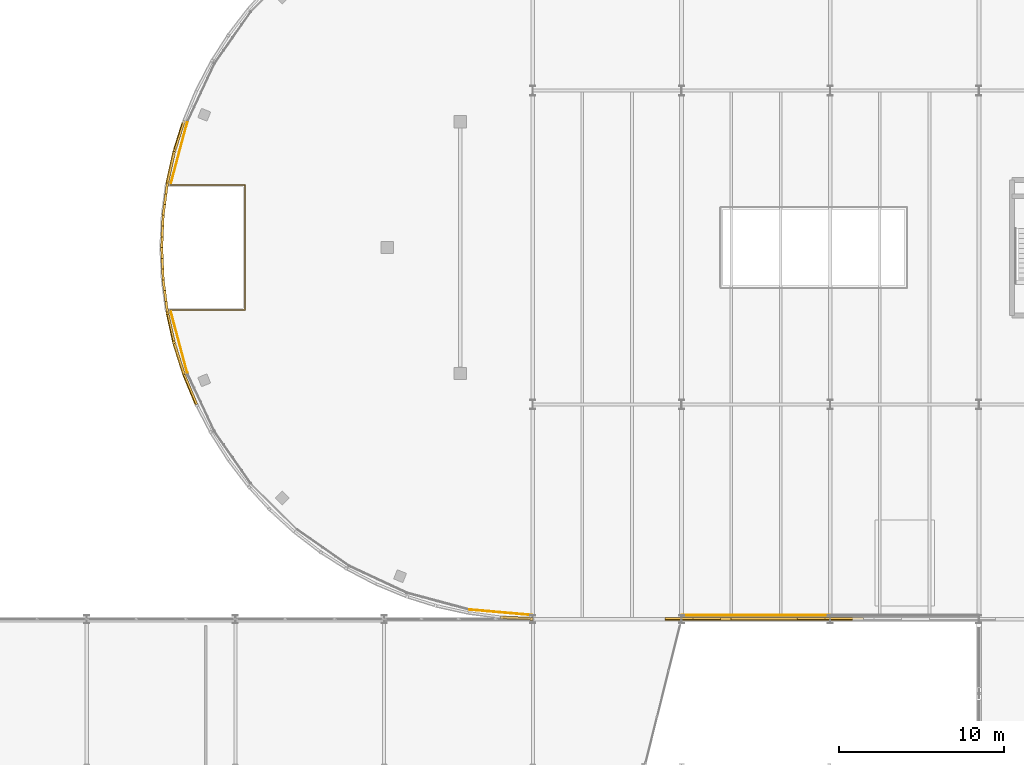
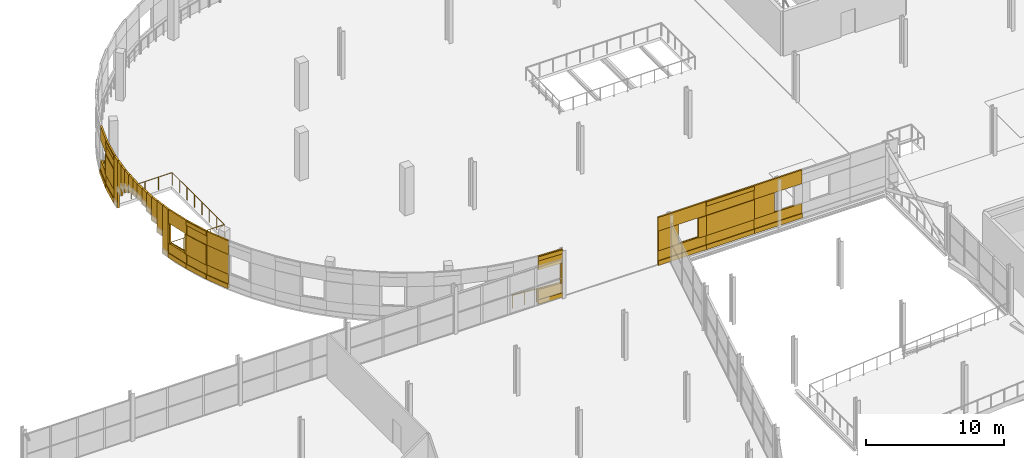
# One storey, part 123 of 135: 54 coverings, 5 railings.
"""IFC4 building model written with IfcOpenShell, lengths in metres."""

from ifc_helpers import new_model, si_unit, direction, frame, origin, origin_2d, place, context, subcontext, project, spatial, rectangle, circle, extrude, material, layer, layer_set, type_object, element, save


model = new_model("IFC4")

# Units and contexts
model_context = context("Model", 3, precision=1e-05, world=origin(), true_north=direction((0.0, 1.0)))
body_context = subcontext(model_context, "Body", "Model", "MODEL_VIEW")
ifc_project = project(units=[si_unit("LENGTHUNIT", "METRE"), si_unit("AREAUNIT", "SQUARE_METRE"), si_unit("VOLUMEUNIT", "CUBIC_METRE"), si_unit("PLANEANGLEUNIT", "RADIAN"), si_unit("MASSUNIT", "GRAM", prefix="KILO")], contexts=[model_context])

# Site, building, storey
site_placement = place(None, origin())
site = spatial("IfcSite", under=ifc_project, at=site_placement, CompositionType="ELEMENT")
building_placement = place(site_placement, origin())
building = spatial("IfcBuilding", under=site, at=building_placement, Name="Deido Ridge Mobility Hub", CompositionType="ELEMENT")
storey_placement = place(building_placement, frame((0.0, 0.0, 4.199951171875)))
storey = spatial("IfcBuildingStorey", under=building, at=storey_placement, Name="L01", CompositionType="ELEMENT", Elevation=4.199951171875)

# Coverings
ifc_material_1 = material(Name="Fired clay brick masonry", Category="masonry")
ifc_layer = layer(ifc_material_1, 0.114990234375, Name="Fired clay brick masonry")
ifc_layer_set = layer_set([ifc_layer], Name="Fired clay brick masonry")
covering_type = type_object("IfcCoveringType", Name="COV-BRK-SCREEN-115", PredefinedType="CLADDING", material=ifc_layer_set)
covering_1_placement = place(storey_placement, frame((23.61181640625, 110.24365234375, 0.0), z_axis=(0.0, 0.0, 1.0), x_axis=(-0.300672508319, -0.95372744678, 0.0)))
element("IfcCovering", 1, at=covering_1_placement, inside=storey, type_object=covering_type, Name="Open brickwork spandrel course BKS1 (L01)", PredefinedType="CLADDING", context=body_context, shape_type="SweptSolid", body=[
    extrude(rectangle(XDim=1.9619140625, YDim=0.125, at=origin_2d()), origin(), (0.0, 0.0, 1.0), 1.25),
])
covering_2_placement = place(storey_placement, frame((23.585693359375, 110.251953125, 0.0), z_axis=(0.0, 0.0, 1.0), x_axis=(-0.300672508319, -0.95372744678, 0.0)))
element("IfcCovering", 2, at=covering_2_placement, inside=storey, type_object=covering_type, Name="Raised brick relief belt BKS1 (L01)", PredefinedType="CLADDING", context=body_context, shape_type="SweptSolid", body=[
    extrude(rectangle(XDim=1.9619140625, YDim=0.179931640625, at=origin_2d()), origin(), (0.0, 0.0, 1.0), 0.39990234375),
])
covering_3_placement = place(storey_placement, frame((23.61181640625, 110.24365234375, 3.0), z_axis=(0.0, 0.0, 1.0), x_axis=(-0.300672508319, -0.95372744678, 0.0)))
element("IfcCovering", 3, at=covering_3_placement, inside=storey, type_object=covering_type, Name="Open brickwork lintel course BKS1 (L01)", PredefinedType="CLADDING", context=body_context, shape_type="SweptSolid", body=[
    extrude(rectangle(XDim=1.9619140625, YDim=0.125, at=origin_2d()), origin(), (0.0, 0.0, 1.0), 1.199951171875),
])
covering_4_placement = place(storey_placement, frame((23.314697265625, 109.392578125, 1.25), z_axis=(0.0, 0.0, 1.0), x_axis=(-0.300672508319, -0.95372744678, 0.0)))
element("IfcCovering", 4, at=covering_4_placement, inside=storey, type_object=covering_type, Name="Curved brick jamb nib BKS1 (L01)", PredefinedType="CLADDING", context=body_context, shape_type="SweptSolid", body=[
    extrude(rectangle(XDim=0.152099609375, YDim=0.179931640625, at=origin_2d()), origin(), (0.0, 0.0, 1.0), 1.75),
])
covering_5_placement = place(storey_placement, frame((23.10546875, 108.35400390625, 0.0), z_axis=(0.0, 0.0, 1.0), x_axis=(-0.216456653485, -0.976292229387, 0.0)))
element("IfcCovering", 5, at=covering_5_placement, inside=storey, type_object=covering_type, Name="Open brickwork spandrel course BKS1 (L01)", PredefinedType="CLADDING", context=body_context, shape_type="SweptSolid", body=[
    extrude(rectangle(XDim=1.9619140625, YDim=0.125, at=origin_2d()), origin(), (0.0, 0.0, 1.0), 1.25),
])
covering_6_placement = place(storey_placement, frame((23.07861328125, 108.35986328125, 0.0), z_axis=(0.0, 0.0, 1.0), x_axis=(-0.216456653485, -0.976292229387, 0.0)))
element("IfcCovering", 6, at=covering_6_placement, inside=storey, type_object=covering_type, Name="Raised brick relief belt BKS1 (L01)", PredefinedType="CLADDING", context=body_context, shape_type="SweptSolid", body=[
    extrude(rectangle(XDim=1.9619140625, YDim=0.179931640625, at=origin_2d()), origin(), (0.0, 0.0, 1.0), 0.39990234375),
])
covering_7_placement = place(storey_placement, frame((23.10546875, 108.35400390625, 3.0), z_axis=(0.0, 0.0, 1.0), x_axis=(-0.216456653485, -0.976292229387, 0.0)))
element("IfcCovering", 7, at=covering_7_placement, inside=storey, type_object=covering_type, Name="Open brickwork lintel course BKS1 (L01)", PredefinedType="CLADDING", context=body_context, shape_type="SweptSolid", body=[
    extrude(rectangle(XDim=1.9619140625, YDim=0.125, at=origin_2d()), origin(), (0.0, 0.0, 1.0), 1.199951171875),
])
covering_8_placement = place(storey_placement, frame((23.07861328125, 108.35986328125, 3.83984375), z_axis=(0.0, 0.0, 1.0), x_axis=(-0.216456653485, -0.976292229387, 0.0)))
element("IfcCovering", 8, at=covering_8_placement, inside=storey, type_object=covering_type, Name="Raised brick relief cornice BKS1 (L01)", PredefinedType="CLADDING", context=body_context, shape_type="SweptSolid", body=[
    extrude(rectangle(XDim=1.9619140625, YDim=0.179931640625, at=origin_2d()), origin(), (0.0, 0.0, 1.0), 0.360107421875),
])
covering_9_placement = place(storey_placement, frame((23.07861328125, 108.35986328125, 1.25), z_axis=(0.0, 0.0, 1.0), x_axis=(-0.216456653485, -0.976292229387, 0.0)))
element("IfcCovering", 9, at=covering_9_placement, inside=storey, type_object=covering_type, Name="Curved raised brickwork pier BKS1 (L01)", PredefinedType="CLADDING", context=body_context, shape_type="SweptSolid", body=[
    extrude(rectangle(XDim=1.9619140625, YDim=0.179931640625, at=origin_2d()), origin(), (0.0, 0.0, 1.0), 1.75),
])
covering_10_placement = place(storey_placement, frame((22.8408203125, 107.07421875, 0.0), z_axis=(0.0, 0.0, 1.0), x_axis=(-0.130543496177, -0.991442583111, 0.0)))
element("IfcCovering", 10, at=covering_10_placement, inside=storey, type_object=covering_type, Name="Stepped brick portal arch spandrel BKS1 (L01)", PredefinedType="CLADDING", context=body_context, shape_type="SweptSolid", body=[
    extrude(rectangle(XDim=0.657958984375, YDim=0.14501953125, at=origin_2d()), origin(), (0.0, 0.0, 1.0), 4.199951171875),
])
covering_11_placement = place(storey_placement, frame((22.755615234375, 106.428466796875, 1.504150390625), z_axis=(0.0, 0.0, 1.0), x_axis=(-0.130543496177, -0.991442583111, 0.0)))
element("IfcCovering", 11, at=covering_11_placement, inside=storey, type_object=covering_type, Name="Stepped brick portal arch spandrel BKS1 (L01)", PredefinedType="CLADDING", context=body_context, shape_type="SweptSolid", body=[
    extrude(rectangle(XDim=0.657958984375, YDim=0.14501953125, at=origin_2d()), origin(), (0.0, 0.0, 1.0), 2.69580078125),
])
covering_12_placement = place(storey_placement, frame((22.670654296875, 105.78271484375, 2.18994140625), z_axis=(0.0, 0.0, 1.0), x_axis=(-0.130543496177, -0.991442583111, 0.0)))
element("IfcCovering", 12, at=covering_12_placement, inside=storey, type_object=covering_type, Name="Stepped brick portal arch spandrel BKS1 (L01)", PredefinedType="CLADDING", context=body_context, shape_type="SweptSolid", body=[
    extrude(rectangle(XDim=0.657958984375, YDim=0.14501953125, at=origin_2d()), origin(), (0.0, 0.0, 1.0), 2.010009765625),
])
covering_13_placement = place(storey_placement, frame((22.613525390625, 105.12939453125, 2.611328125), z_axis=(0.0, 0.0, 1.0), x_axis=(-0.043601950678, -0.999048982732, 0.0)))
element("IfcCovering", 13, at=covering_13_placement, inside=storey, type_object=covering_type, Name="Stepped brick portal arch spandrel BKS1 (L01)", PredefinedType="CLADDING", context=body_context, shape_type="SweptSolid", body=[
    extrude(rectangle(XDim=0.657958984375, YDim=0.14501953125, at=origin_2d()), origin(), (0.0, 0.0, 1.0), 1.588623046875),
])
covering_14_placement = place(storey_placement, frame((22.585205078125, 104.478759765625, 2.864990234375), z_axis=(0.0, 0.0, 1.0), x_axis=(-0.043601950678, -0.999048982732, 0.0)))
element("IfcCovering", 14, at=covering_14_placement, inside=storey, type_object=covering_type, Name="Stepped brick portal arch spandrel BKS1 (L01)", PredefinedType="CLADDING", context=body_context, shape_type="SweptSolid", body=[
    extrude(rectangle(XDim=0.657958984375, YDim=0.14501953125, at=origin_2d()), origin(), (0.0, 0.0, 1.0), 1.3349609375),
])
for number, where, z_axis, x_axis, name in (
    (15, (22.556884765625, 103.827880859375, 2.9853515625), (0.0, 0.0, 1.0), (-0.043601950678, -0.999048982732, 0.0), "Stepped brick portal arch spandrel BKS1 (L01)"),
    (16, (22.556884765625, 103.172119140625, 2.9853515625), (0.0, 0.0, 1.0), (0.043601950678, -0.999048982732, 0.0), "Stepped brick portal arch spandrel BKS1 (L01)"),
):
    element("IfcCovering", number, at=place(storey_placement, frame(where, z_axis=z_axis, x_axis=x_axis)), inside=storey, type_object=covering_type, Name=name, PredefinedType="CLADDING", context=body_context, shape_type="SweptSolid", body=[
        extrude(rectangle(XDim=0.657958984375, YDim=0.14501953125, at=origin_2d()), origin(), (0.0, 0.0, 1.0), 1.214599609375),
    ])
covering_15_placement = place(storey_placement, frame((22.585205078125, 102.521240234375, 2.864990234375), z_axis=(0.0, 0.0, 1.0), x_axis=(0.043601950678, -0.999048982732, 0.0)))
element("IfcCovering", 17, at=covering_15_placement, inside=storey, type_object=covering_type, Name="Stepped brick portal arch spandrel BKS1 (L01)", PredefinedType="CLADDING", context=body_context, shape_type="SweptSolid", body=[
    extrude(rectangle(XDim=0.657958984375, YDim=0.14501953125, at=origin_2d()), origin(), (0.0, 0.0, 1.0), 1.3349609375),
])
covering_16_placement = place(storey_placement, frame((22.613525390625, 101.87060546875, 2.611328125), z_axis=(0.0, 0.0, 1.0), x_axis=(0.043601950678, -0.999048982732, 0.0)))
element("IfcCovering", 18, at=covering_16_placement, inside=storey, type_object=covering_type, Name="Stepped brick portal arch spandrel BKS1 (L01)", PredefinedType="CLADDING", context=body_context, shape_type="SweptSolid", body=[
    extrude(rectangle(XDim=0.657958984375, YDim=0.14501953125, at=origin_2d()), origin(), (0.0, 0.0, 1.0), 1.588623046875),
])
covering_17_placement = place(storey_placement, frame((22.670654296875, 101.21728515625, 2.18994140625), z_axis=(0.0, 0.0, 1.0), x_axis=(0.130543496177, -0.991442583111, 0.0)))
element("IfcCovering", 19, at=covering_17_placement, inside=storey, type_object=covering_type, Name="Stepped brick portal arch spandrel BKS1 (L01)", PredefinedType="CLADDING", context=body_context, shape_type="SweptSolid", body=[
    extrude(rectangle(XDim=0.657958984375, YDim=0.14501953125, at=origin_2d()), origin(), (0.0, 0.0, 1.0), 2.010009765625),
])
covering_18_placement = place(storey_placement, frame((22.755615234375, 100.571533203125, 1.504150390625), z_axis=(0.0, 0.0, 1.0), x_axis=(0.130543496177, -0.991442583111, 0.0)))
element("IfcCovering", 20, at=covering_18_placement, inside=storey, type_object=covering_type, Name="Stepped brick portal arch spandrel BKS1 (L01)", PredefinedType="CLADDING", context=body_context, shape_type="SweptSolid", body=[
    extrude(rectangle(XDim=0.657958984375, YDim=0.14501953125, at=origin_2d()), origin(), (0.0, 0.0, 1.0), 2.69580078125),
])
covering_19_placement = place(storey_placement, frame((22.8408203125, 99.92578125, 0.0), z_axis=(0.0, 0.0, 1.0), x_axis=(0.130543496177, -0.991442583111, 0.0)))
element("IfcCovering", 21, at=covering_19_placement, inside=storey, type_object=covering_type, Name="Stepped brick portal arch spandrel BKS1 (L01)", PredefinedType="CLADDING", context=body_context, shape_type="SweptSolid", body=[
    extrude(rectangle(XDim=0.657958984375, YDim=0.14501953125, at=origin_2d()), origin(), (0.0, 0.0, 1.0), 4.199951171875),
])
covering_20_placement = place(storey_placement, frame((23.10546875, 98.64599609375, 0.0), z_axis=(0.0, 0.0, 1.0), x_axis=(0.216456653485, -0.976292229387, 0.0)))
element("IfcCovering", 22, at=covering_20_placement, inside=storey, type_object=covering_type, Name="Open brickwork spandrel course BKS1 (L01)", PredefinedType="CLADDING", context=body_context, shape_type="SweptSolid", body=[
    extrude(rectangle(XDim=1.9619140625, YDim=0.125, at=origin_2d()), origin(), (0.0, 0.0, 1.0), 1.25),
])
covering_21_placement = place(storey_placement, frame((23.07861328125, 98.64013671875, 0.0), z_axis=(0.0, 0.0, 1.0), x_axis=(0.216456653485, -0.976292229387, 0.0)))
element("IfcCovering", 23, at=covering_21_placement, inside=storey, type_object=covering_type, Name="Raised brick relief belt BKS1 (L01)", PredefinedType="CLADDING", context=body_context, shape_type="SweptSolid", body=[
    extrude(rectangle(XDim=1.9619140625, YDim=0.179931640625, at=origin_2d()), origin(), (0.0, 0.0, 1.0), 0.39990234375),
])
covering_22_placement = place(storey_placement, frame((23.10546875, 98.64599609375, 3.0), z_axis=(0.0, 0.0, 1.0), x_axis=(0.216456653485, -0.976292229387, 0.0)))
element("IfcCovering", 24, at=covering_22_placement, inside=storey, type_object=covering_type, Name="Open brickwork lintel course BKS1 (L01)", PredefinedType="CLADDING", context=body_context, shape_type="SweptSolid", body=[
    extrude(rectangle(XDim=1.9619140625, YDim=0.125, at=origin_2d()), origin(), (0.0, 0.0, 1.0), 1.199951171875),
])
for number, where, z_axis, x_axis, name in (
    (25, (22.883544921875, 99.519775390625, 1.25), (0.0, 0.0, 1.0), (0.216456653485, -0.976292229387, 0.0), "Curved brick jamb nib BKS1 (L01)"),
    (26, (23.273681640625, 97.760498046875, 1.25), (0.0, 0.0, 1.0), (0.216456653485, -0.976292229387, 0.0), "Curved brick jamb nib BKS1 (L01)"),
):
    element("IfcCovering", number, at=place(storey_placement, frame(where, z_axis=z_axis, x_axis=x_axis)), inside=storey, type_object=covering_type, Name=name, PredefinedType="CLADDING", context=body_context, shape_type="SweptSolid", body=[
        extrude(rectangle(XDim=0.152099609375, YDim=0.179931640625, at=origin_2d()), origin(), (0.0, 0.0, 1.0), 1.75),
    ])
covering_23_placement = place(storey_placement, frame((23.61181640625, 96.75634765625, 0.0), z_axis=(0.0, 0.0, 1.0), x_axis=(0.300672508319, -0.95372744678, 0.0)))
element("IfcCovering", 27, at=covering_23_placement, inside=storey, type_object=covering_type, Name="Open brickwork spandrel course BKS1 (L01)", PredefinedType="CLADDING", context=body_context, shape_type="SweptSolid", body=[
    extrude(rectangle(XDim=1.9619140625, YDim=0.125, at=origin_2d()), origin(), (0.0, 0.0, 1.0), 1.25),
])
covering_24_placement = place(storey_placement, frame((23.585693359375, 96.748046875, 0.0), z_axis=(0.0, 0.0, 1.0), x_axis=(0.300672508319, -0.95372744678, 0.0)))
element("IfcCovering", 28, at=covering_24_placement, inside=storey, type_object=covering_type, Name="Raised brick relief belt BKS1 (L01)", PredefinedType="CLADDING", context=body_context, shape_type="SweptSolid", body=[
    extrude(rectangle(XDim=1.9619140625, YDim=0.179931640625, at=origin_2d()), origin(), (0.0, 0.0, 1.0), 0.39990234375),
])
covering_25_placement = place(storey_placement, frame((23.61181640625, 96.75634765625, 3.0), z_axis=(0.0, 0.0, 1.0), x_axis=(0.300672508319, -0.95372744678, 0.0)))
element("IfcCovering", 29, at=covering_25_placement, inside=storey, type_object=covering_type, Name="Open brickwork lintel course BKS1 (L01)", PredefinedType="CLADDING", context=body_context, shape_type="SweptSolid", body=[
    extrude(rectangle(XDim=1.9619140625, YDim=0.125, at=origin_2d()), origin(), (0.0, 0.0, 1.0), 1.199951171875),
])
covering_26_placement = place(storey_placement, frame((23.585693359375, 96.748046875, 3.83984375), z_axis=(0.0, 0.0, 1.0), x_axis=(0.300672508319, -0.95372744678, 0.0)))
element("IfcCovering", 30, at=covering_26_placement, inside=storey, type_object=covering_type, Name="Raised brick relief cornice BKS1 (L01)", PredefinedType="CLADDING", context=body_context, shape_type="SweptSolid", body=[
    extrude(rectangle(XDim=1.9619140625, YDim=0.179931640625, at=origin_2d()), origin(), (0.0, 0.0, 1.0), 0.360107421875),
])
covering_27_placement = place(storey_placement, frame((23.585693359375, 96.748046875, 1.25), z_axis=(0.0, 0.0, 1.0), x_axis=(0.300672508319, -0.95372744678, 0.0)))
element("IfcCovering", 31, at=covering_27_placement, inside=storey, type_object=covering_type, Name="Curved raised brickwork pier BKS1 (L01)", PredefinedType="CLADDING", context=body_context, shape_type="SweptSolid", body=[
    extrude(rectangle(XDim=1.9619140625, YDim=0.179931640625, at=origin_2d()), origin(), (0.0, 0.0, 1.0), 1.75),
])
covering_28_placement = place(storey_placement, frame((24.281005859375, 94.91796875, 0.0), z_axis=(0.0, 0.0, 1.0), x_axis=(0.382699557047, -0.923872853285, 0.0)))
element("IfcCovering", 32, at=covering_28_placement, inside=storey, type_object=covering_type, Name="Open brickwork spandrel course BKS1 (L01)", PredefinedType="CLADDING", context=body_context, shape_type="SweptSolid", body=[
    extrude(rectangle(XDim=1.9619140625, YDim=0.125, at=origin_2d()), origin(), (0.0, 0.0, 1.0), 1.25),
])
covering_29_placement = place(storey_placement, frame((24.255615234375, 94.9072265625, 0.0), z_axis=(0.0, 0.0, 1.0), x_axis=(0.382699557047, -0.923872853285, 0.0)))
element("IfcCovering", 33, at=covering_29_placement, inside=storey, type_object=covering_type, Name="Raised brick relief belt BKS1 (L01)", PredefinedType="CLADDING", context=body_context, shape_type="SweptSolid", body=[
    extrude(rectangle(XDim=1.9619140625, YDim=0.179931640625, at=origin_2d()), origin(), (0.0, 0.0, 1.0), 0.39990234375),
])
covering_30_placement = place(storey_placement, frame((24.281005859375, 94.91796875, 3.0), z_axis=(0.0, 0.0, 1.0), x_axis=(0.382699557047, -0.923872853285, 0.0)))
element("IfcCovering", 34, at=covering_30_placement, inside=storey, type_object=covering_type, Name="Open brickwork lintel course BKS1 (L01)", PredefinedType="CLADDING", context=body_context, shape_type="SweptSolid", body=[
    extrude(rectangle(XDim=1.9619140625, YDim=0.125, at=origin_2d()), origin(), (0.0, 0.0, 1.0), 1.199951171875),
])
covering_31_placement = place(storey_placement, frame((24.281005859375, 94.91796875, 1.25), z_axis=(0.0, 0.0, 1.0), x_axis=(0.382699557047, -0.923872853285, 0.0)))
element("IfcCovering", 35, at=covering_31_placement, inside=storey, type_object=covering_type, Name="Curved raised brickwork pier BKS1 (L01)", PredefinedType="CLADDING", context=body_context, shape_type="SweptSolid", body=[
    extrude(rectangle(XDim=1.9619140625, YDim=0.125, at=origin_2d()), origin(), (0.0, 0.0, 1.0), 1.75),
])
covering_32_placement = place(storey_placement, frame((44.021728515625, 81.09521484375, 0.0), z_axis=(0.0, 0.0, 1.0), x_axis=(0.999048982732, -0.043601950678, 0.0)))
element("IfcCovering", 36, at=covering_32_placement, inside=storey, type_object=covering_type, Name="Open brickwork spandrel course BKS1 (L01)", PredefinedType="CLADDING", context=body_context, shape_type="SweptSolid", body=[
    extrude(rectangle(XDim=1.9619140625, YDim=0.125, at=origin_2d()), origin(), (0.0, 0.0, 1.0), 1.25),
])
covering_33_placement = place(storey_placement, frame((44.0205078125, 81.067626953125, 0.0), z_axis=(0.0, 0.0, 1.0), x_axis=(0.999048982732, -0.043601950678, 0.0)))
element("IfcCovering", 37, at=covering_33_placement, inside=storey, type_object=covering_type, Name="Raised brick relief belt BKS1 (L01)", PredefinedType="CLADDING", context=body_context, shape_type="SweptSolid", body=[
    extrude(rectangle(XDim=1.9619140625, YDim=0.179931640625, at=origin_2d()), origin(), (0.0, 0.0, 1.0), 0.39990234375),
])
covering_34_placement = place(storey_placement, frame((44.021728515625, 81.09521484375, 3.0), z_axis=(0.0, 0.0, 1.0), x_axis=(0.999048982732, -0.043601950678, 0.0)))
element("IfcCovering", 38, at=covering_34_placement, inside=storey, type_object=covering_type, Name="Open brickwork lintel course BKS1 (L01)", PredefinedType="CLADDING", context=body_context, shape_type="SweptSolid", body=[
    extrude(rectangle(XDim=1.9619140625, YDim=0.125, at=origin_2d()), origin(), (0.0, 0.0, 1.0), 1.199951171875),
])
covering_35_placement = place(storey_placement, frame((44.0205078125, 81.067626953125, 3.83984375), z_axis=(0.0, 0.0, 1.0), x_axis=(0.999048982732, -0.043601950678, 0.0)))
element("IfcCovering", 39, at=covering_35_placement, inside=storey, type_object=covering_type, Name="Raised brick relief cornice BKS1 (L01)", PredefinedType="CLADDING", context=body_context, shape_type="SweptSolid", body=[
    extrude(rectangle(XDim=1.9619140625, YDim=0.179931640625, at=origin_2d()), origin(), (0.0, 0.0, 1.0), 0.360107421875),
])
covering_36_placement = place(storey_placement, frame((44.9208984375, 81.0283203125, 1.25), z_axis=(0.0, 0.0, 1.0), x_axis=(0.999048982732, -0.043601950678, 0.0)))
element("IfcCovering", 40, at=covering_36_placement, inside=storey, type_object=covering_type, Name="Curved brick jamb nib BKS1 (L01)", PredefinedType="CLADDING", context=body_context, shape_type="SweptSolid", body=[
    extrude(rectangle(XDim=0.152099609375, YDim=0.179931640625, at=origin_2d()), origin(), (0.0, 0.0, 1.0), 1.75),
])
covering_37_placement = place(storey_placement, frame((55.0, 81.052490234375, 0.0), z_axis=(0.0, 0.0, 1.0), x_axis=(1.0, 0.0, 0.0)))
element("IfcCovering", 41, at=covering_37_placement, inside=storey, type_object=covering_type, Name="Open brickwork spandrel course BKS1 (L01)", PredefinedType="CLADDING", context=body_context, shape_type="SweptSolid", body=[
    extrude(rectangle(XDim=4.01611328125, YDim=0.125, at=origin_2d()), origin(), (0.0, 0.0, 1.0), 1.25),
])
covering_38_placement = place(storey_placement, frame((55.0, 81.02490234375, 0.0), z_axis=(0.0, 0.0, 1.0), x_axis=(1.0, 0.0, 0.0)))
element("IfcCovering", 42, at=covering_38_placement, inside=storey, type_object=covering_type, Name="Raised brick relief belt BKS1 (L01)", PredefinedType="CLADDING", context=body_context, shape_type="SweptSolid", body=[
    extrude(rectangle(XDim=4.01611328125, YDim=0.179931640625, at=origin_2d()), origin(), (0.0, 0.0, 1.0), 0.39990234375),
])
covering_39_placement = place(storey_placement, frame((55.0, 81.052490234375, 3.0), z_axis=(0.0, 0.0, 1.0), x_axis=(1.0, 0.0, 0.0)))
element("IfcCovering", 43, at=covering_39_placement, inside=storey, type_object=covering_type, Name="Open brickwork lintel course BKS1 (L01)", PredefinedType="CLADDING", context=body_context, shape_type="SweptSolid", body=[
    extrude(rectangle(XDim=4.01611328125, YDim=0.125, at=origin_2d()), origin(), (0.0, 0.0, 1.0), 1.199951171875),
])
covering_40_placement = place(storey_placement, frame((53.847412109375, 81.052490234375, 1.25), z_axis=(0.0, 0.0, 1.0), x_axis=(1.0, 0.0, 0.0)))
element("IfcCovering", 44, at=covering_40_placement, inside=storey, type_object=covering_type, Name="Open brickwork pier BKS1 (L01)", PredefinedType="CLADDING", context=body_context, shape_type="SweptSolid", body=[
    extrude(rectangle(XDim=1.695068359375, YDim=0.125, at=origin_2d()), origin(), (0.0, 0.0, 1.0), 1.75),
])
covering_41_placement = place(storey_placement, frame((56.672607421875, 81.02490234375, 1.25), z_axis=(0.0, 0.0, 1.0), x_axis=(1.0, 0.0, 0.0)))
element("IfcCovering", 45, at=covering_41_placement, inside=storey, type_object=covering_type, Name="Open brickwork pier BKS1 (L01)", PredefinedType="CLADDING", context=body_context, shape_type="SweptSolid", body=[
    extrude(rectangle(XDim=0.655029296875, YDim=0.179931640625, at=origin_2d()), origin(), (0.0, 0.0, 1.0), 1.75),
])
covering_42_placement = place(storey_placement, frame((59.0, 81.052490234375, 0.0), z_axis=(0.0, 0.0, 1.0), x_axis=(1.0, 0.0, 0.0)))
element("IfcCovering", 46, at=covering_42_placement, inside=storey, type_object=covering_type, Name="Open brickwork spandrel course BKS1 (L01)", PredefinedType="CLADDING", context=body_context, shape_type="SweptSolid", body=[
    extrude(rectangle(XDim=4.01611328125, YDim=0.125, at=origin_2d()), origin(), (0.0, 0.0, 1.0), 1.25),
])
covering_43_placement = place(storey_placement, frame((59.0, 81.02490234375, 0.0), z_axis=(0.0, 0.0, 1.0), x_axis=(1.0, 0.0, 0.0)))
element("IfcCovering", 47, at=covering_43_placement, inside=storey, type_object=covering_type, Name="Raised brick relief belt BKS1 (L01)", PredefinedType="CLADDING", context=body_context, shape_type="SweptSolid", body=[
    extrude(rectangle(XDim=4.01611328125, YDim=0.179931640625, at=origin_2d()), origin(), (0.0, 0.0, 1.0), 0.39990234375),
])
covering_44_placement = place(storey_placement, frame((59.0, 81.052490234375, 3.0), z_axis=(0.0, 0.0, 1.0), x_axis=(1.0, 0.0, 0.0)))
element("IfcCovering", 48, at=covering_44_placement, inside=storey, type_object=covering_type, Name="Open brickwork lintel course BKS1 (L01)", PredefinedType="CLADDING", context=body_context, shape_type="SweptSolid", body=[
    extrude(rectangle(XDim=4.01611328125, YDim=0.125, at=origin_2d()), origin(), (0.0, 0.0, 1.0), 1.199951171875),
])
covering_45_placement = place(storey_placement, frame((59.0, 81.02490234375, 3.83984375), z_axis=(0.0, 0.0, 1.0), x_axis=(1.0, 0.0, 0.0)))
element("IfcCovering", 49, at=covering_45_placement, inside=storey, type_object=covering_type, Name="Raised brick relief cornice BKS1 (L01)", PredefinedType="CLADDING", context=body_context, shape_type="SweptSolid", body=[
    extrude(rectangle(XDim=4.01611328125, YDim=0.179931640625, at=origin_2d()), origin(), (0.0, 0.0, 1.0), 0.360107421875),
])
covering_46_placement = place(storey_placement, frame((59.0, 81.02490234375, 1.25), z_axis=(0.0, 0.0, 1.0), x_axis=(1.0, 0.0, 0.0)))
element("IfcCovering", 50, at=covering_46_placement, inside=storey, type_object=covering_type, Name="Raised brick relief panel BKS1 (L01)", PredefinedType="CLADDING", context=body_context, shape_type="SweptSolid", body=[
    extrude(rectangle(XDim=4.008056640625, YDim=0.179931640625, at=origin_2d()), origin(), (0.0, 0.0, 1.0), 1.75),
])
covering_47_placement = place(storey_placement, frame((63.0, 81.052490234375, 0.0), z_axis=(0.0, 0.0, 1.0), x_axis=(1.0, 0.0, 0.0)))
element("IfcCovering", 51, at=covering_47_placement, inside=storey, type_object=covering_type, Name="Open brickwork spandrel course BKS1 (L01)", PredefinedType="CLADDING", context=body_context, shape_type="SweptSolid", body=[
    extrude(rectangle(XDim=4.01611328125, YDim=0.125, at=origin_2d()), origin(), (0.0, 0.0, 1.0), 1.25),
])
covering_48_placement = place(storey_placement, frame((63.0, 81.02490234375, 0.0), z_axis=(0.0, 0.0, 1.0), x_axis=(1.0, 0.0, 0.0)))
element("IfcCovering", 52, at=covering_48_placement, inside=storey, type_object=covering_type, Name="Raised brick relief belt BKS1 (L01)", PredefinedType="CLADDING", context=body_context, shape_type="SweptSolid", body=[
    extrude(rectangle(XDim=4.01611328125, YDim=0.179931640625, at=origin_2d()), origin(), (0.0, 0.0, 1.0), 0.39990234375),
])
covering_49_placement = place(storey_placement, frame((63.0, 81.052490234375, 3.0), z_axis=(0.0, 0.0, 1.0), x_axis=(1.0, 0.0, 0.0)))
element("IfcCovering", 53, at=covering_49_placement, inside=storey, type_object=covering_type, Name="Open brickwork lintel course BKS1 (L01)", PredefinedType="CLADDING", context=body_context, shape_type="SweptSolid", body=[
    extrude(rectangle(XDim=4.01611328125, YDim=0.125, at=origin_2d()), origin(), (0.0, 0.0, 1.0), 1.199951171875),
])
covering_50_placement = place(storey_placement, frame((61.847412109375, 81.052490234375, 1.25), z_axis=(0.0, 0.0, 1.0), x_axis=(1.0, 0.0, 0.0)))
element("IfcCovering", 54, at=covering_50_placement, inside=storey, type_object=covering_type, Name="Open brickwork pier BKS1 (L01)", PredefinedType="CLADDING", context=body_context, shape_type="SweptSolid", body=[
    extrude(rectangle(XDim=1.695068359375, YDim=0.125, at=origin_2d()), origin(), (0.0, 0.0, 1.0), 1.75),
])

# Railings
ifc_material_2 = material(Name="Galvanised steel work", Category="steel")
railing_type = type_object("IfcRailingType", Name="RL-GRD-EXT-1150", PredefinedType="GUARDRAIL", material=ifc_material_2)
railing_1_placement = place(storey_placement, frame((23.050048828125, 99.719970703125, 0.0)))
element("IfcRailing", 55, at=railing_1_placement, inside=storey, type_object=railing_type, Name="West double-height portal void guard GR1", PredefinedType="GUARDRAIL", context=body_context, shape_type="SweptSolid", body=[
    extrude(circle(Radius=0.02392578125, at=origin_2d()), frame((0.0, 0.0, 1.1259765625), z_axis=(1.0, 0.0, 0.0), x_axis=(0.0, 1.0, 0.0)), (0.0, 0.0, 1.0), 4.530029296875),
    extrude(circle(Radius=0.02392578125, at=origin_2d()), frame((4.530029296875, 0.0, 1.1259765625), z_axis=(0.0, 1.0, 0.0), x_axis=(-1.0, 0.0, 0.0)), (0.0, 0.0, 1.0), 7.56005859375),
    extrude(circle(Radius=0.02392578125, at=origin_2d()), frame((4.530029296875, 7.56005859375, 1.1259765625), z_axis=(-1.0, 0.0, 0.0), x_axis=(0.0, -1.0, 0.0)), (0.0, 0.0, 1.0), 4.530029296875),
    extrude(circle(Radius=0.02099609375, at=origin_2d()), origin(), (0.0, 0.0, 1.0), 1.101806640625),
    extrude(circle(Radius=0.02099609375, at=origin_2d()), frame((1.132568359375, 0.0, 0.0)), (0.0, 0.0, 1.0), 1.101806640625),
    extrude(circle(Radius=0.02099609375, at=origin_2d()), frame((2.26513671875, 0.0, 0.0)), (0.0, 0.0, 1.0), 1.101806640625),
    extrude(circle(Radius=0.02099609375, at=origin_2d()), frame((3.3974609375, 0.0, 0.0)), (0.0, 0.0, 1.0), 1.101806640625),
    extrude(circle(Radius=0.02099609375, at=origin_2d()), frame((4.530029296875, 0.0, 0.0)), (0.0, 0.0, 1.0), 1.101806640625),
    extrude(circle(Radius=0.02099609375, at=origin_2d()), frame((4.530029296875, 1.080078125, 0.0)), (0.0, 0.0, 1.0), 1.101806640625),
    extrude(circle(Radius=0.02099609375, at=origin_2d()), frame((4.530029296875, 2.159912109375, 0.0)), (0.0, 0.0, 1.0), 1.101806640625),
    extrude(circle(Radius=0.02099609375, at=origin_2d()), frame((4.530029296875, 3.239990234375, 0.0)), (0.0, 0.0, 1.0), 1.101806640625),
    extrude(circle(Radius=0.02099609375, at=origin_2d()), frame((4.530029296875, 4.320068359375, 0.0)), (0.0, 0.0, 1.0), 1.101806640625),
    extrude(circle(Radius=0.02099609375, at=origin_2d()), frame((4.530029296875, 5.400146484375, 0.0)), (0.0, 0.0, 1.0), 1.101806640625),
    extrude(circle(Radius=0.02099609375, at=origin_2d()), frame((4.530029296875, 6.47998046875, 0.0)), (0.0, 0.0, 1.0), 1.101806640625),
    extrude(circle(Radius=0.02099609375, at=origin_2d()), frame((4.530029296875, 7.56005859375, 0.0)), (0.0, 0.0, 1.0), 1.101806640625),
    extrude(circle(Radius=0.02099609375, at=origin_2d()), frame((3.3974609375, 7.56005859375, 0.0)), (0.0, 0.0, 1.0), 1.101806640625),
    extrude(circle(Radius=0.02099609375, at=origin_2d()), frame((2.26513671875, 7.56005859375, 0.0)), (0.0, 0.0, 1.0), 1.101806640625),
    extrude(circle(Radius=0.02099609375, at=origin_2d()), frame((1.132568359375, 7.56005859375, 0.0)), (0.0, 0.0, 1.0), 1.101806640625),
    extrude(circle(Radius=0.02099609375, at=origin_2d()), frame((0.0, 7.56005859375, 0.0)), (0.0, 0.0, 1.0), 1.101806640625),
])
railing_2_placement = place(storey_placement, frame((24.081298828125, 111.0712890625, 0.0)))
element("IfcRailing", 56, at=railing_2_placement, inside=storey, type_object=railing_type, Name="Parking drum perimeter guard (L01)", PredefinedType="GUARDRAIL", context=body_context, shape_type="SweptSolid", body=[
    extrude(circle(Radius=0.02392578125, at=origin_2d()), frame((0.0, 0.0, 1.1259765625), z_axis=(-0.258774639064, -0.965937723757, 0.0), x_axis=(0.965937723757, -0.258774639064, 0.0)), (0.0, 0.0, 1.0), 3.79833984375),
    extrude(circle(Radius=0.02099609375, at=origin_2d()), origin(), (0.0, 0.0, 1.0), 1.101806640625),
    extrude(circle(Radius=0.02099609375, at=origin_2d()), frame((-0.24560546875, -0.917236328125, 0.0)), (0.0, 0.0, 1.0), 1.101806640625),
    extrude(circle(Radius=0.02099609375, at=origin_2d()), frame((-0.491455078125, -1.83447265625, 0.0)), (0.0, 0.0, 1.0), 1.101806640625),
    extrude(circle(Radius=0.02099609375, at=origin_2d()), frame((-0.7373046875, -2.751708984375, 0.0)), (0.0, 0.0, 1.0), 1.101806640625),
    extrude(circle(Radius=0.02099609375, at=origin_2d()), frame((-0.98291015625, -3.6689453125, 0.0)), (0.0, 0.0, 1.0), 1.101806640625),
])
railing_3_placement = place(storey_placement, frame((23.098388671875, 99.59765625, 0.0)))
element("IfcRailing", 57, at=railing_3_placement, inside=storey, type_object=railing_type, Name="Parking drum perimeter guard (L01)", PredefinedType="GUARDRAIL", context=body_context, shape_type="SweptSolid", body=[
    extrude(circle(Radius=0.02392578125, at=origin_2d()), frame((0.0, 0.0, 1.1259765625), z_axis=(0.258774639064, -0.965937723757, 0.0), x_axis=(0.965937723757, 0.258774639064, 0.0)), (0.0, 0.0, 1.0), 3.79833984375),
    extrude(circle(Radius=0.02099609375, at=origin_2d()), origin(), (0.0, 0.0, 1.0), 1.101806640625),
    extrude(circle(Radius=0.02099609375, at=origin_2d()), frame((0.24560546875, -0.917236328125, 0.0)), (0.0, 0.0, 1.0), 1.101806640625),
    extrude(circle(Radius=0.02099609375, at=origin_2d()), frame((0.491455078125, -1.83447265625, 0.0)), (0.0, 0.0, 1.0), 1.101806640625),
    extrude(circle(Radius=0.02099609375, at=origin_2d()), frame((0.7373046875, -2.751708984375, 0.0)), (0.0, 0.0, 1.0), 1.101806640625),
    extrude(circle(Radius=0.02099609375, at=origin_2d()), frame((0.98291015625, -3.6689453125, 0.0)), (0.0, 0.0, 1.0), 1.101806640625),
])
railing_4_placement = place(storey_placement, frame((41.176025390625, 81.58447265625, 0.0)))
element("IfcRailing", 58, at=railing_4_placement, inside=storey, type_object=railing_type, Name="Parking drum perimeter guard (L01)", PredefinedType="GUARDRAIL", context=body_context, shape_type="SweptSolid", body=[
    extrude(circle(Radius=0.02392578125, at=origin_2d()), frame((0.0, 0.0, 1.1259765625), z_axis=(0.996195112607, -0.08715100469, 0.0), x_axis=(0.08715100469, 0.996195112607, 0.0)), (0.0, 0.0, 1.0), 3.798583984375),
    extrude(circle(Radius=0.02099609375, at=origin_2d()), origin(), (0.0, 0.0, 1.0), 1.101806640625),
    extrude(circle(Radius=0.02099609375, at=origin_2d()), frame((0.946044921875, -0.082763671875, 0.0)), (0.0, 0.0, 1.0), 1.101806640625),
    extrude(circle(Radius=0.02099609375, at=origin_2d()), frame((1.89208984375, -0.16552734375, 0.0)), (0.0, 0.0, 1.0), 1.101806640625),
    extrude(circle(Radius=0.02099609375, at=origin_2d()), frame((2.838134765625, -0.248291015625, 0.0)), (0.0, 0.0, 1.0), 1.101806640625),
    extrude(circle(Radius=0.02099609375, at=origin_2d()), frame((3.7841796875, -0.3310546875, 0.0)), (0.0, 0.0, 1.0), 1.101806640625),
])
railing_5_placement = place(storey_placement, frame((54.0400390625, 81.25, 0.0)))
element("IfcRailing", 59, at=railing_5_placement, inside=storey, type_object=railing_type, Name="Parking drum perimeter guard (L01)", PredefinedType="GUARDRAIL", context=body_context, shape_type="SweptSolid", body=[
    extrude(circle(Radius=0.02392578125, at=origin_2d()), frame((0.0, 0.0, 1.1259765625), z_axis=(1.0, 0.0, 0.0), x_axis=(0.0, 1.0, 0.0)), (0.0, 0.0, 1.0), 8.919921875),
    extrude(circle(Radius=0.02099609375, at=origin_2d()), origin(), (0.0, 0.0, 1.0), 1.101806640625),
    extrude(circle(Radius=0.02099609375, at=origin_2d()), frame((1.114990234375, 0.0, 0.0)), (0.0, 0.0, 1.0), 1.101806640625),
    extrude(circle(Radius=0.02099609375, at=origin_2d()), frame((2.22998046875, 0.0, 0.0)), (0.0, 0.0, 1.0), 1.101806640625),
    extrude(circle(Radius=0.02099609375, at=origin_2d()), frame((3.344970703125, 0.0, 0.0)), (0.0, 0.0, 1.0), 1.101806640625),
    extrude(circle(Radius=0.02099609375, at=origin_2d()), frame((4.4599609375, 0.0, 0.0)), (0.0, 0.0, 1.0), 1.101806640625),
    extrude(circle(Radius=0.02099609375, at=origin_2d()), frame((5.574951171875, 0.0, 0.0)), (0.0, 0.0, 1.0), 1.101806640625),
    extrude(circle(Radius=0.02099609375, at=origin_2d()), frame((6.68994140625, 0.0, 0.0)), (0.0, 0.0, 1.0), 1.101806640625),
    extrude(circle(Radius=0.02099609375, at=origin_2d()), frame((7.804931640625, 0.0, 0.0)), (0.0, 0.0, 1.0), 1.101806640625),
    extrude(circle(Radius=0.02099609375, at=origin_2d()), frame((8.919921875, 0.0, 0.0)), (0.0, 0.0, 1.0), 1.101806640625),
])

save(model, "model.ifc")
